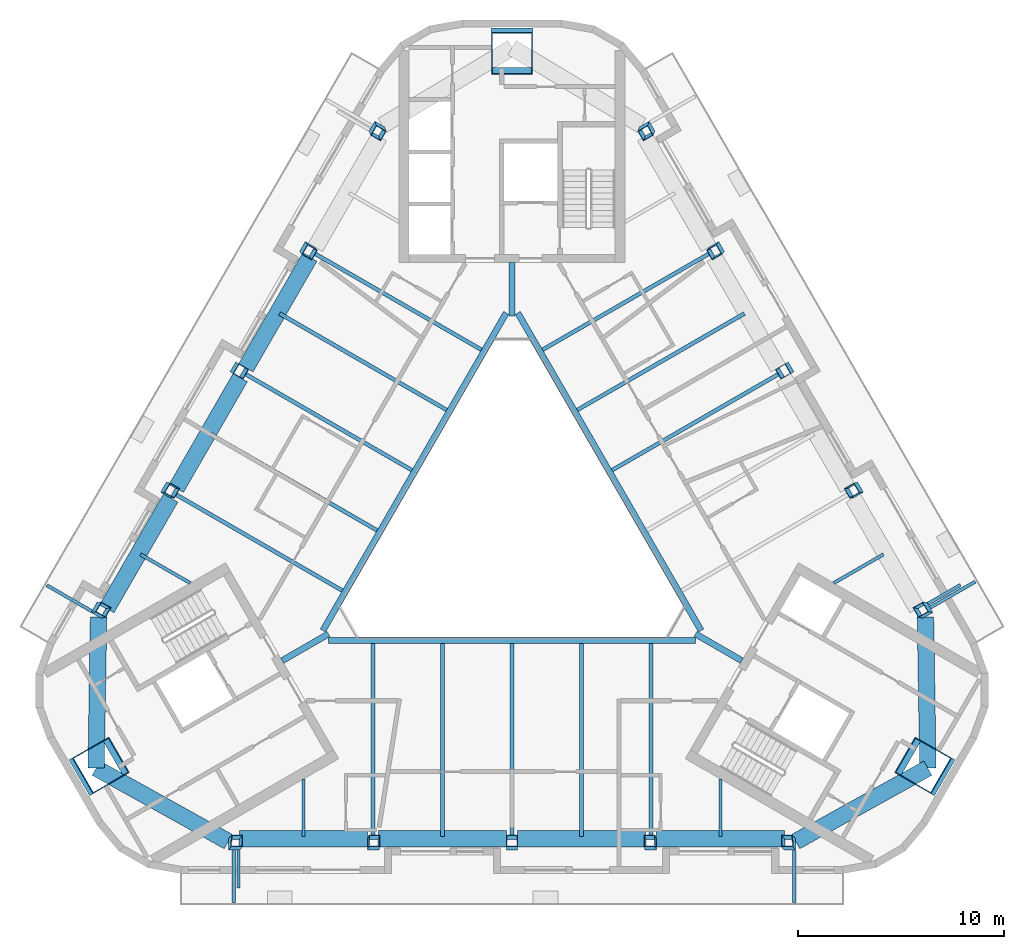
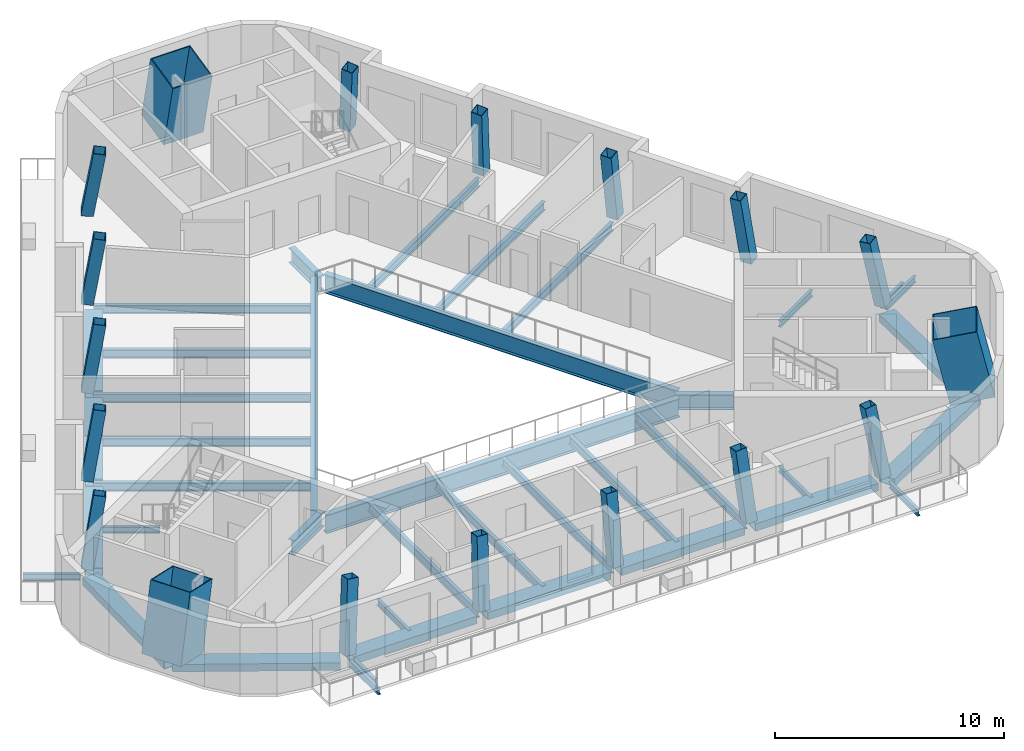
# One storey, part 1 of 11: 40 beams, 18 columns.
"""IFC4 building model written with IfcOpenShell, lengths in metres."""

from ifc_helpers import new_model, si_unit, direction, frame, origin, origin_2d, place, context, subcontext, project, spatial, rectangle, hollow_rectangle, i_section, extrude, boolean, halfspace, material, material_profile, profile_set, type_object, element, save


model = new_model("IFC4")

# Units and contexts
model_context = context("Model", 3, precision=1e-05, world=origin(), true_north=direction((0.0, 1.0)))
body_context = subcontext(model_context, "Body", "Model", "MODEL_VIEW")
ifc_project = project(units=[si_unit("LENGTHUNIT", "METRE"), si_unit("AREAUNIT", "SQUARE_METRE"), si_unit("VOLUMEUNIT", "CUBIC_METRE"), si_unit("PLANEANGLEUNIT", "RADIAN"), si_unit("MASSUNIT", "GRAM", prefix="KILO")], contexts=[model_context])

# Site, building, storey
site_placement = place(None, origin())
site = spatial("IfcSite", under=ifc_project, at=site_placement, CompositionType="ELEMENT")
building_placement = place(site_placement, origin())
building = spatial("IfcBuilding", under=site, at=building_placement, Name="Apuvela Tower Hotel", CompositionType="ELEMENT")
storey_placement = place(building_placement, frame((0.0, 0.0, 309.60009765625)))
storey = spatial("IfcBuildingStorey", under=building, at=storey_placement, Name="L77", CompositionType="ELEMENT", Elevation=309.60009765625)

# Columns
ifc_material_1 = material(Name="Steel S460", Category="steel")
ifc_material_profile_1 = material_profile(ifc_material_1, hollow_rectangle(XDim=2.0, YDim=2.0, WallThickness=0.050048828125, at=origin_2d()), Name="BOX 2000x2000x50")
ifc_material_2 = material(Name="Concrete C80/95", Category="concrete")
ifc_material_profile_2 = material_profile(ifc_material_2, rectangle(XDim=1.89990234375, YDim=1.89990234375, at=origin_2d()), Name="Concrete C80/95 infill")
ifc_profile_set_1 = profile_set([ifc_material_profile_1, ifc_material_profile_2], Name="Steel S460")
column_type_1 = type_object("IfcColumnType", Name="STR-MC mega column BOX 2000x2000x50", PredefinedType="COLUMN", material=ifc_profile_set_1)
for number, where, z_axis, x_axis, name in (
    (1, (0.0, 23.34130859375, 0.0), (0.0, -0.21982618752, 0.975539054718), (1.0, 0.0, 0.0), "Mega column MC4 N"),
    (2, (-20.214111328125, -11.670654296875, 0.0), (0.190346159062, 0.109881938965, 0.975548204457), (0.499906392682, -0.866079441173, 1.1507946e-05), "Mega column MC4 SW"),
    (3, (20.214111328125, -11.670654296875, 0.0), (-0.190346159062, 0.109881938965, 0.975548204457), (-0.499906392682, -0.866079441173, 1.1507946e-05), "Mega column MC4 SE"),
):
    element("IfcColumn", number, at=place(storey_placement, frame(where, z_axis=z_axis, x_axis=x_axis)), inside=storey, type_object=column_type_1, Name=name, PredefinedType="COLUMN", context=body_context, shape_type="SweptSolid", body=[
        boolean("DIFFERENCE", boolean("DIFFERENCE", extrude(hollow_rectangle(XDim=2.0, YDim=2.0, WallThickness=0.050048828125, at=origin_2d()), origin(), (0.0, 0.0, 1.0), 3.792724609375), halfspace(frame((0.0, 0.0, 0.11328125), z_axis=(0.0, 0.0, 1.0), x_axis=(1.0, 0.0, 0.0)), True)), halfspace(frame((0.0, 0.0, 3.679443359375), z_axis=(0.0, 0.0, 1.0), x_axis=(1.0, 0.0, 0.0)), False)),
    ])
ifc_material_profile_3 = material_profile(ifc_material_1, hollow_rectangle(XDim=0.550048828125, YDim=0.550048828125, WallThickness=0.02490234375, at=origin_2d()), Name="BOX 550x550x25")
ifc_material_profile_4 = material_profile(ifc_material_2, rectangle(XDim=0.5, YDim=0.5, at=origin_2d()), Name="Concrete C80/95 infill")
ifc_profile_set_2 = profile_set([ifc_material_profile_3, ifc_material_profile_4], Name="Steel S460")
column_type_2 = type_object("IfcColumnType", Name="STR-PC perimeter column BOX 550x550x25", PredefinedType="COLUMN", material=ifc_profile_set_2)
column_1_placement = place(storey_placement, frame((-13.517822265625, -15.39453125, 0.0), z_axis=(0.121069901949, 0.150398600122, 0.981184151892), x_axis=(-0.992601568988, 0.00920533993, 0.121067695767)))
element("IfcColumn", 4, at=column_1_placement, inside=storey, type_object=column_type_2, Name="Perimeter column C7 S1", PredefinedType="COLUMN", context=body_context, shape_type="SweptSolid", body=[
    boolean("DIFFERENCE", boolean("DIFFERENCE", extrude(hollow_rectangle(XDim=0.550048828125, YDim=0.550048828125, WallThickness=0.02490234375, at=origin_2d()), origin(), (0.0, 0.0, 1.0), 3.77099609375), halfspace(frame((0.0, 0.0, 0.039794921875), z_axis=(0.0, 0.0, 1.0), x_axis=(1.0, 0.0, 0.0)), True)), halfspace(frame((0.0, 0.0, 3.73095703125), z_axis=(0.0, 0.0, 1.0), x_axis=(1.0, 0.0, 0.0)), False)),
])
column_2_placement = place(storey_placement, frame((-6.7587890625, -15.39453125, 0.0), z_axis=(0.060805602285, 0.151232777417, 0.986626234075), x_axis=(-0.998137511125, 0.004342411053, 0.060849423591)))
element("IfcColumn", 5, at=column_2_placement, inside=storey, type_object=column_type_2, Name="Perimeter column C7 S2", PredefinedType="COLUMN", context=body_context, shape_type="SweptSolid", body=[
    boolean("DIFFERENCE", boolean("DIFFERENCE", extrude(hollow_rectangle(XDim=0.550048828125, YDim=0.550048828125, WallThickness=0.02490234375, at=origin_2d()), origin(), (0.0, 0.0, 1.0), 3.75), halfspace(frame((0.0, 0.0, 0.033935546875), z_axis=(0.0, 0.0, 1.0), x_axis=(1.0, 0.0, 0.0)), True)), halfspace(frame((0.0, 0.0, 3.71630859375), z_axis=(0.0, 0.0, 1.0), x_axis=(1.0, 0.0, 0.0)), False)),
])
column_3_placement = place(storey_placement, frame((0.0, -15.39453125, 0.0), z_axis=(0.0, 0.151513133163, 0.98845524455), x_axis=(-1.0, 0.0, 0.0)))
element("IfcColumn", 6, at=column_3_placement, inside=storey, type_object=column_type_2, Name="Perimeter column C7 S3", PredefinedType="COLUMN", context=body_context, shape_type="SweptSolid", body=[
    boolean("DIFFERENCE", boolean("DIFFERENCE", extrude(hollow_rectangle(XDim=0.550048828125, YDim=0.550048828125, WallThickness=0.02490234375, at=origin_2d()), origin(), (0.0, 0.0, 1.0), 3.7431640625), halfspace(frame((0.0, 0.0, 0.031494140625), z_axis=(0.0, 0.0, 1.0), x_axis=(1.0, 0.0, 0.0)), True)), halfspace(frame((0.0, 0.0, 3.711669921875), z_axis=(0.0, 0.0, 1.0), x_axis=(1.0, 0.0, 0.0)), False)),
])
column_4_placement = place(storey_placement, frame((6.7587890625, -15.39453125, 0.0), z_axis=(-0.060805602285, 0.151232777417, 0.986626234075), x_axis=(0.998137511125, 0.004342411053, 0.060849423591)))
element("IfcColumn", 7, at=column_4_placement, inside=storey, type_object=column_type_2, Name="Perimeter column C7 S4", PredefinedType="COLUMN", context=body_context, shape_type="SweptSolid", body=[
    boolean("DIFFERENCE", boolean("DIFFERENCE", extrude(hollow_rectangle(XDim=0.550048828125, YDim=0.550048828125, WallThickness=0.02490234375, at=origin_2d()), origin(), (0.0, 0.0, 1.0), 3.75), halfspace(frame((0.0, 0.0, 0.033935546875), z_axis=(0.0, 0.0, 1.0), x_axis=(1.0, 0.0, 0.0)), True)), halfspace(frame((0.0, 0.0, 3.71630859375), z_axis=(0.0, 0.0, 1.0), x_axis=(1.0, 0.0, 0.0)), False)),
])
for number, where, z_axis, x_axis, name in (
    (8, (13.517822265625, -15.39453125, 0.0), (-0.121069901949, 0.150398600122, 0.981184151892), (0.992601568988, 0.00920533993, 0.121067695767), "Perimeter column C7 S5"),
    (9, (20.091064453125, -4.009521484375, 0.0), (-0.190797858838, 0.029652330963, 0.981181388088), (0.488342494533, -0.86421146304, 0.121079127777), "Perimeter column C7 NE1"),
):
    element("IfcColumn", number, at=place(storey_placement, frame(where, z_axis=z_axis, x_axis=x_axis)), inside=storey, type_object=column_type_2, Name=name, PredefinedType="COLUMN", context=body_context, shape_type="SweptSolid", body=[
        boolean("DIFFERENCE", boolean("DIFFERENCE", extrude(hollow_rectangle(XDim=0.550048828125, YDim=0.550048828125, WallThickness=0.02490234375, at=origin_2d()), origin(), (0.0, 0.0, 1.0), 3.77099609375), halfspace(frame((0.0, 0.0, 0.039794921875), z_axis=(0.0, 0.0, 1.0), x_axis=(1.0, 0.0, 0.0)), True)), halfspace(frame((0.0, 0.0, 3.73095703125), z_axis=(0.0, 0.0, 1.0), x_axis=(1.0, 0.0, 0.0)), False)),
    ])
column_5_placement = place(storey_placement, frame((16.71142578125, 1.843994140625, 0.0), z_axis=(-0.161388519526, -0.022915997932, 0.986624854139), x_axis=(0.495109873729, -0.866696335889, 0.060857820306)))
element("IfcColumn", 10, at=column_5_placement, inside=storey, type_object=column_type_2, Name="Perimeter column C7 NE2", PredefinedType="COLUMN", context=body_context, shape_type="SweptSolid", body=[
    boolean("DIFFERENCE", boolean("DIFFERENCE", extrude(hollow_rectangle(XDim=0.550048828125, YDim=0.550048828125, WallThickness=0.02490234375, at=origin_2d()), origin(), (0.0, 0.0, 1.0), 3.75), halfspace(frame((0.0, 0.0, 0.033935546875), z_axis=(0.0, 0.0, 1.0), x_axis=(1.0, 0.0, 0.0)), True)), halfspace(frame((0.0, 0.0, 3.71630859375), z_axis=(0.0, 0.0, 1.0), x_axis=(1.0, 0.0, 0.0)), False)),
])
column_6_placement = place(storey_placement, frame((13.33203125, 7.697265625, 0.0), z_axis=(-0.131164739211, -0.075724645561, 0.988464257949), x_axis=(-0.499893753664, 0.866086736301, 1.5860259e-05)))
element("IfcColumn", 11, at=column_6_placement, inside=storey, type_object=column_type_2, Name="Perimeter column C7 NE3", PredefinedType="COLUMN", context=body_context, shape_type="SweptSolid", body=[
    boolean("DIFFERENCE", boolean("DIFFERENCE", extrude(hollow_rectangle(XDim=0.550048828125, YDim=0.550048828125, WallThickness=0.02490234375, at=origin_2d()), origin(), (0.0, 0.0, 1.0), 3.7431640625), halfspace(frame((0.0, 0.0, 0.031494140625), z_axis=(0.0, 0.0, 1.0), x_axis=(1.0, 0.0, 0.0)), True)), halfspace(frame((0.0, 0.0, 3.71142578125), z_axis=(0.0, 0.0, 1.0), x_axis=(1.0, 0.0, 0.0)), False)),
])
column_7_placement = place(storey_placement, frame((9.95263671875, 13.550537109375, 0.0), z_axis=(-0.100518860507, -0.128252691192, 0.98663428173), x_axis=(-0.503004973265, 0.862140661686, 0.060823320673)))
element("IfcColumn", 12, at=column_7_placement, inside=storey, type_object=column_type_2, Name="Perimeter column C7 NE4", PredefinedType="COLUMN", context=body_context, shape_type="SweptSolid", body=[
    boolean("DIFFERENCE", boolean("DIFFERENCE", extrude(hollow_rectangle(XDim=0.550048828125, YDim=0.550048828125, WallThickness=0.02490234375, at=origin_2d()), origin(), (0.0, 0.0, 1.0), 3.75), halfspace(frame((0.0, 0.0, 0.033935546875), z_axis=(0.0, 0.0, 1.0), x_axis=(1.0, 0.0, 0.0)), True)), halfspace(frame((0.0, 0.0, 3.716064453125), z_axis=(0.0, 0.0, 1.0), x_axis=(1.0, 0.0, 0.0)), False)),
])
for number, where, z_axis, x_axis, name in (
    (13, (6.5732421875, 19.404052734375, 0.0), (-0.069728397733, -0.180050765176, 0.981182792608), (-0.504276986778, 0.855013934028, 0.12106152661), "Perimeter column C7 NE5"),
    (14, (-6.5732421875, 19.404052734375, 0.0), (0.069728397733, -0.180050765176, 0.981182792608), (0.504276986778, 0.855013934028, 0.12106152661), "Perimeter column C7 NW1"),
):
    element("IfcColumn", number, at=place(storey_placement, frame(where, z_axis=z_axis, x_axis=x_axis)), inside=storey, type_object=column_type_2, Name=name, PredefinedType="COLUMN", context=body_context, shape_type="SweptSolid", body=[
        boolean("DIFFERENCE", boolean("DIFFERENCE", extrude(hollow_rectangle(XDim=0.550048828125, YDim=0.550048828125, WallThickness=0.02490234375, at=origin_2d()), origin(), (0.0, 0.0, 1.0), 3.77099609375), halfspace(frame((0.0, 0.0, 0.039794921875), z_axis=(0.0, 0.0, 1.0), x_axis=(1.0, 0.0, 0.0)), True)), halfspace(frame((0.0, 0.0, 3.73095703125), z_axis=(0.0, 0.0, 1.0), x_axis=(1.0, 0.0, 0.0)), False)),
    ])
column_8_placement = place(storey_placement, frame((-9.95263671875, 13.550537109375, 0.0), z_axis=(0.100518860507, -0.128252691192, 0.98663428173), x_axis=(0.503004973265, 0.862140661686, 0.060823320673)))
element("IfcColumn", 15, at=column_8_placement, inside=storey, type_object=column_type_2, Name="Perimeter column C7 NW2", PredefinedType="COLUMN", context=body_context, shape_type="SweptSolid", body=[
    boolean("DIFFERENCE", boolean("DIFFERENCE", extrude(hollow_rectangle(XDim=0.550048828125, YDim=0.550048828125, WallThickness=0.02490234375, at=origin_2d()), origin(), (0.0, 0.0, 1.0), 3.75), halfspace(frame((0.0, 0.0, 0.033935546875), z_axis=(0.0, 0.0, 1.0), x_axis=(1.0, 0.0, 0.0)), True)), halfspace(frame((0.0, 0.0, 3.716064453125), z_axis=(0.0, 0.0, 1.0), x_axis=(1.0, 0.0, 0.0)), False)),
])
column_9_placement = place(storey_placement, frame((-13.33203125, 7.697265625, 0.0), z_axis=(0.131164739211, -0.075724645561, 0.988464257949), x_axis=(0.499893753664, 0.866086736301, 1.5860259e-05)))
element("IfcColumn", 16, at=column_9_placement, inside=storey, type_object=column_type_2, Name="Perimeter column C7 NW3", PredefinedType="COLUMN", context=body_context, shape_type="SweptSolid", body=[
    boolean("DIFFERENCE", boolean("DIFFERENCE", extrude(hollow_rectangle(XDim=0.550048828125, YDim=0.550048828125, WallThickness=0.02490234375, at=origin_2d()), origin(), (0.0, 0.0, 1.0), 3.7431640625), halfspace(frame((0.0, 0.0, 0.031494140625), z_axis=(0.0, 0.0, 1.0), x_axis=(1.0, 0.0, 0.0)), True)), halfspace(frame((0.0, 0.0, 3.71142578125), z_axis=(0.0, 0.0, 1.0), x_axis=(1.0, 0.0, 0.0)), False)),
])
column_10_placement = place(storey_placement, frame((-16.71142578125, 1.843994140625, 0.0), z_axis=(0.161388519526, -0.022915997932, 0.986624854139), x_axis=(-0.495109873729, -0.866696335889, 0.060857820306)))
element("IfcColumn", 17, at=column_10_placement, inside=storey, type_object=column_type_2, Name="Perimeter column C7 NW4", PredefinedType="COLUMN", context=body_context, shape_type="SweptSolid", body=[
    boolean("DIFFERENCE", boolean("DIFFERENCE", extrude(hollow_rectangle(XDim=0.550048828125, YDim=0.550048828125, WallThickness=0.02490234375, at=origin_2d()), origin(), (0.0, 0.0, 1.0), 3.75), halfspace(frame((0.0, 0.0, 0.033935546875), z_axis=(0.0, 0.0, 1.0), x_axis=(1.0, 0.0, 0.0)), True)), halfspace(frame((0.0, 0.0, 3.71630859375), z_axis=(0.0, 0.0, 1.0), x_axis=(1.0, 0.0, 0.0)), False)),
])
column_11_placement = place(storey_placement, frame((-20.091064453125, -4.009521484375, 0.0), z_axis=(0.190797858838, 0.029652330963, 0.981181388088), x_axis=(-0.488342494533, -0.86421146304, 0.121079127777)))
element("IfcColumn", 18, at=column_11_placement, inside=storey, type_object=column_type_2, Name="Perimeter column C7 NW5", PredefinedType="COLUMN", context=body_context, shape_type="SweptSolid", body=[
    boolean("DIFFERENCE", boolean("DIFFERENCE", extrude(hollow_rectangle(XDim=0.550048828125, YDim=0.550048828125, WallThickness=0.02490234375, at=origin_2d()), origin(), (0.0, 0.0, 1.0), 3.77099609375), halfspace(frame((0.0, 0.0, 0.039794921875), z_axis=(0.0, 0.0, 1.0), x_axis=(1.0, 0.0, 0.0)), True)), halfspace(frame((0.0, 0.0, 3.73095703125), z_axis=(0.0, 0.0, 1.0), x_axis=(1.0, 0.0, 0.0)), False)),
])

# Beams
ifc_material_3 = material(Name="Steel S355", Category="steel")
ifc_material_profile_5 = material_profile(ifc_material_3, i_section(OverallWidth=0.159912109375, OverallDepth=0.330078125, WebThickness=0.007568359375, FlangeThickness=0.011474609375, at=origin_2d()), Name="IPE 330")
ifc_profile_set_3 = profile_set([ifc_material_profile_5], Name="Steel S355")
beam_type_1 = type_object("IfcBeamType", Name="ENV-BALCONY-BEAM-IPE330", PredefinedType="BEAM", material=ifc_profile_set_3)
beam_1_placement = place(storey_placement, frame((-13.517822265625, -15.669677734375, -0.315185546875), z_axis=(0.0, -1.0, 0.0), x_axis=(1.0, 0.0, 0.0)))
element("IfcBeam", 19, at=beam_1_placement, inside=storey, type_object=beam_type_1, Name="Balcony cantilever beam S1 L77", PredefinedType="BEAM", context=body_context, shape_type="SweptSolid", body=[
    extrude(i_section(OverallWidth=0.159912109375, OverallDepth=0.330078125, WebThickness=0.007568359375, FlangeThickness=0.011474609375, at=origin_2d()), origin(), (0.0, 0.0, 1.0), 2.52490234375),
])
beam_2_placement = place(storey_placement, frame((-13.2978515625, -15.669677734375, -0.315185546875), z_axis=(0.0, -1.0, 0.0), x_axis=(1.0, 0.0, 0.0)))
element("IfcBeam", 20, at=beam_2_placement, inside=storey, type_object=beam_type_1, Name="Balcony cantilever beam S2 L77", PredefinedType="BEAM", context=body_context, shape_type="SweptSolid", body=[
    extrude(i_section(OverallWidth=0.159912109375, OverallDepth=0.330078125, WebThickness=0.007568359375, FlangeThickness=0.011474609375, at=origin_2d()), origin(), (0.0, 0.0, 1.0), 1.824951171875),
])
for number, where, z_axis, x_axis, name in (
    (21, (13.7177734375, -15.669677734375, -0.315185546875), (0.0, -1.0, 0.0), (1.0, 0.0, 0.0), "Balcony cantilever beam S3 L77"),
    (22, (20.3291015625, -3.8720703125, -0.315185546875), (0.866039067339, 0.499976333282, 0.0), (-0.499976333282, 0.866039067339, 0.0), "Balcony cantilever beam NE1 L77"),
):
    element("IfcBeam", number, at=place(storey_placement, frame(where, z_axis=z_axis, x_axis=x_axis)), inside=storey, type_object=beam_type_1, Name=name, PredefinedType="BEAM", context=body_context, shape_type="SweptSolid", body=[
        extrude(i_section(OverallWidth=0.159912109375, OverallDepth=0.330078125, WebThickness=0.007568359375, FlangeThickness=0.011474609375, at=origin_2d()), origin(), (0.0, 0.0, 1.0), 2.52490234375),
    ])
beam_3_placement = place(storey_placement, frame((20.218994140625, -3.681396484375, -0.315185546875), z_axis=(0.866011828767, 0.500023511883, 0.0), x_axis=(-0.500023511883, 0.866011828767, 0.0)))
element("IfcBeam", 23, at=beam_3_placement, inside=storey, type_object=beam_type_1, Name="Balcony cantilever beam NE2 L77", PredefinedType="BEAM", context=body_context, shape_type="SweptSolid", body=[
    extrude(i_section(OverallWidth=0.159912109375, OverallDepth=0.330078125, WebThickness=0.007568359375, FlangeThickness=0.011474609375, at=origin_2d()), origin(), (0.0, 0.0, 1.0), 1.8251953125),
])
beam_4_placement = place(storey_placement, frame((-20.42919921875, -4.045166015625, -0.315185546875), z_axis=(-0.866014894461, 0.50001820224, 0.0), x_axis=(-0.50001820224, -0.866014894461, 0.0)))
element("IfcBeam", 24, at=beam_4_placement, inside=storey, type_object=beam_type_1, Name="Balcony cantilever beam NW3 L77", PredefinedType="BEAM", context=body_context, shape_type="SweptSolid", body=[
    extrude(i_section(OverallWidth=0.159912109375, OverallDepth=0.330078125, WebThickness=0.007568359375, FlangeThickness=0.011474609375, at=origin_2d()), origin(), (0.0, 0.0, 1.0), 2.52490234375),
])
ifc_material_profile_6 = material_profile(ifc_material_3, i_section(OverallWidth=0.159912109375, OverallDepth=0.330078125, WebThickness=0.007568359375, FlangeThickness=0.011474609375, at=origin_2d()), Name="IPE 330")
ifc_profile_set_4 = profile_set([ifc_material_profile_6], Name="Steel S355")
beam_type_2 = type_object("IfcBeamType", Name="STR-B floor beam IPE 330", PredefinedType="BEAM", material=ifc_profile_set_4)
for number, where, z_axis, x_axis, name in (
    (25, (18.0546875, -1.28271484375, -0.315185546875), (-0.86601074026, -0.500025397109, 0.0), (0.500025397109, -0.86601074026, 0.0), "Floor beam B1 NE2"),
    (26, (-18.0546875, -1.28271484375, -0.315185546875), (0.86601074026, -0.500025397109, 0.0), (0.500025397109, 0.86601074026, 0.0), "Floor beam B1 NW8"),
):
    element("IfcBeam", number, at=place(storey_placement, frame(where, z_axis=z_axis, x_axis=x_axis)), inside=storey, type_object=beam_type_2, Name=name, PredefinedType="BEAM", context=body_context, shape_type="SweptSolid", body=[
        extrude(i_section(OverallWidth=0.159912109375, OverallDepth=0.330078125, WebThickness=0.007568359375, FlangeThickness=0.011474609375, at=origin_2d()), origin(), (0.0, 0.0, 1.0), 2.790283203125),
    ])
for number, where, z_axis, x_axis, name in (
    (27, (-10.13818359375, -14.99462890625, -0.315185546875), (0.0, 1.0, 0.0), (-1.0, 0.0, 0.0), "Floor beam B1 S2"),
    (28, (10.13818359375, -14.99462890625, -0.315185546875), (0.0, 1.0, 0.0), (-1.0, 0.0, 0.0), "Floor beam B1 S8"),
):
    element("IfcBeam", number, at=place(storey_placement, frame(where, z_axis=z_axis, x_axis=x_axis)), inside=storey, type_object=beam_type_2, Name=name, PredefinedType="BEAM", context=body_context, shape_type="SweptSolid", body=[
        extrude(i_section(OverallWidth=0.159912109375, OverallDepth=0.330078125, WebThickness=0.007568359375, FlangeThickness=0.011474609375, at=origin_2d()), origin(), (0.0, 0.0, 1.0), 2.79052734375),
    ])
ifc_material_profile_7 = material_profile(ifc_material_3, i_section(OverallWidth=0.18994140625, OverallDepth=0.449951171875, WebThickness=0.009521484375, FlangeThickness=0.0146484375, at=origin_2d()), Name="IPE 450")
ifc_profile_set_5 = profile_set([ifc_material_profile_7], Name="Steel S355")
beam_type_3 = type_object("IfcBeamType", Name="STR-B floor beam IPE 450", PredefinedType="BEAM", material=ifc_profile_set_5)
beam_5_placement = place(storey_placement, frame((13.093994140625, 7.559814453125, -0.375), z_axis=(-0.866025092416, -0.500000539305, 0.0), x_axis=(0.500000539305, -0.866025092416, 0.0)))
element("IfcBeam", 29, at=beam_5_placement, inside=storey, type_object=beam_type_3, Name="Floor beam B9 NE5", PredefinedType="BEAM", context=body_context, shape_type="SweptSolid", body=[
    extrude(i_section(OverallWidth=0.18994140625, OverallDepth=0.449951171875, WebThickness=0.009521484375, FlangeThickness=0.0146484375, at=origin_2d()), origin(), (0.0, 0.0, 1.0), 9.49951171875),
])
beam_6_placement = place(storey_placement, frame((11.2958984375, 10.424072265625, -0.375), z_axis=(-0.866027725137, -0.499995979278, 0.0), x_axis=(0.499995979278, -0.866027725137, 0.0)))
element("IfcBeam", 30, at=beam_6_placement, inside=storey, type_object=beam_type_3, Name="Floor beam B9 NE6", PredefinedType="BEAM", context=body_context, shape_type="SweptSolid", body=[
    extrude(i_section(OverallWidth=0.18994140625, OverallDepth=0.449951171875, WebThickness=0.009521484375, FlangeThickness=0.0146484375, at=origin_2d()), origin(), (0.0, 0.0, 1.0), 9.37451171875),
])
for number, where, z_axis, x_axis, name in (
    (31, (9.714599609375, 13.4130859375, -0.375), (-0.866031517306, -0.49998941092, 0.0), (0.49998941092, -0.866031517306, 0.0), "Floor beam B9 NE7"),
    (32, (-9.714599609375, 13.4130859375, -0.375), (0.866031517306, -0.49998941092, 0.0), (0.49998941092, 0.866031517306, 0.0), "Floor beam B9 NW3"),
):
    element("IfcBeam", number, at=place(storey_placement, frame(where, z_axis=z_axis, x_axis=x_axis)), inside=storey, type_object=beam_type_3, Name=name, PredefinedType="BEAM", context=body_context, shape_type="SweptSolid", body=[
        extrude(i_section(OverallWidth=0.18994140625, OverallDepth=0.449951171875, WebThickness=0.009521484375, FlangeThickness=0.0146484375, at=origin_2d()), origin(), (0.0, 0.0, 1.0), 9.499755859375),
    ])
beam_7_placement = place(storey_placement, frame((-11.2958984375, 10.424072265625, -0.375), z_axis=(0.866027725137, -0.499995979278, 0.0), x_axis=(0.499995979278, 0.866027725137, 0.0)))
element("IfcBeam", 33, at=beam_7_placement, inside=storey, type_object=beam_type_3, Name="Floor beam B9 NW4", PredefinedType="BEAM", context=body_context, shape_type="SweptSolid", body=[
    extrude(i_section(OverallWidth=0.18994140625, OverallDepth=0.449951171875, WebThickness=0.009521484375, FlangeThickness=0.0146484375, at=origin_2d()), origin(), (0.0, 0.0, 1.0), 9.37451171875),
])
beam_8_placement = place(storey_placement, frame((-13.093994140625, 7.559814453125, -0.375), z_axis=(0.866025092416, -0.500000539305, 0.0), x_axis=(0.500000539305, 0.866025092416, 0.0)))
element("IfcBeam", 34, at=beam_8_placement, inside=storey, type_object=beam_type_3, Name="Floor beam B9 NW5", PredefinedType="BEAM", context=body_context, shape_type="SweptSolid", body=[
    extrude(i_section(OverallWidth=0.18994140625, OverallDepth=0.449951171875, WebThickness=0.009521484375, FlangeThickness=0.0146484375, at=origin_2d()), origin(), (0.0, 0.0, 1.0), 9.49951171875),
])
beam_9_placement = place(storey_placement, frame((-14.67529296875, 4.570556640625, -0.375), z_axis=(0.866021214318, -0.500007256298, 0.0), x_axis=(0.500007256298, 0.866021214318, 0.0)))
element("IfcBeam", 35, at=beam_9_placement, inside=storey, type_object=beam_type_3, Name="Floor beam B9 NW6", PredefinedType="BEAM", context=body_context, shape_type="SweptSolid", body=[
    extrude(i_section(OverallWidth=0.18994140625, OverallDepth=0.449951171875, WebThickness=0.009521484375, FlangeThickness=0.0146484375, at=origin_2d()), origin(), (0.0, 0.0, 1.0), 9.374267578125),
])
for number, where, z_axis, x_axis, name in (
    (36, (-16.473388671875, 1.706298828125, -0.375), (0.866025092416, -0.500000539305, 0.0), (0.500000539305, 0.866025092416, 0.0), "Floor beam B9 NW7"),
    (37, (-6.7587890625, -15.11962890625, -0.375), (0.0, 1.0, 0.0), (-1.0, 0.0, 0.0), "Floor beam B9 S3"),
):
    element("IfcBeam", number, at=place(storey_placement, frame(where, z_axis=z_axis, x_axis=x_axis)), inside=storey, type_object=beam_type_3, Name=name, PredefinedType="BEAM", context=body_context, shape_type="SweptSolid", body=[
        extrude(i_section(OverallWidth=0.18994140625, OverallDepth=0.449951171875, WebThickness=0.009521484375, FlangeThickness=0.0146484375, at=origin_2d()), origin(), (0.0, 0.0, 1.0), 9.49951171875),
    ])
beam_10_placement = place(storey_placement, frame((-3.37939453125, -14.99462890625, -0.375), z_axis=(0.0, 1.0, 0.0), x_axis=(-1.0, 0.0, 0.0)))
element("IfcBeam", 38, at=beam_10_placement, inside=storey, type_object=beam_type_3, Name="Floor beam B9 S4", PredefinedType="BEAM", context=body_context, shape_type="SweptSolid", body=[
    extrude(i_section(OverallWidth=0.18994140625, OverallDepth=0.449951171875, WebThickness=0.009521484375, FlangeThickness=0.0146484375, at=origin_2d()), origin(), (0.0, 0.0, 1.0), 9.37451171875),
])
beam_11_placement = place(storey_placement, frame((0.0, -15.11962890625, -0.375), z_axis=(0.0, 1.0, 0.0), x_axis=(-1.0, 0.0, 0.0)))
element("IfcBeam", 39, at=beam_11_placement, inside=storey, type_object=beam_type_3, Name="Floor beam B9 S5", PredefinedType="BEAM", context=body_context, shape_type="SweptSolid", body=[
    extrude(i_section(OverallWidth=0.18994140625, OverallDepth=0.449951171875, WebThickness=0.009521484375, FlangeThickness=0.0146484375, at=origin_2d()), origin(), (0.0, 0.0, 1.0), 9.49951171875),
])
beam_12_placement = place(storey_placement, frame((3.37939453125, -14.99462890625, -0.375), z_axis=(0.0, 1.0, 0.0), x_axis=(-1.0, 0.0, 0.0)))
element("IfcBeam", 40, at=beam_12_placement, inside=storey, type_object=beam_type_3, Name="Floor beam B9 S6", PredefinedType="BEAM", context=body_context, shape_type="SweptSolid", body=[
    extrude(i_section(OverallWidth=0.18994140625, OverallDepth=0.449951171875, WebThickness=0.009521484375, FlangeThickness=0.0146484375, at=origin_2d()), origin(), (0.0, 0.0, 1.0), 9.37451171875),
])
beam_13_placement = place(storey_placement, frame((6.7587890625, -15.11962890625, -0.375), z_axis=(0.0, 1.0, 0.0), x_axis=(-1.0, 0.0, 0.0)))
element("IfcBeam", 41, at=beam_13_placement, inside=storey, type_object=beam_type_3, Name="Floor beam B9 S7", PredefinedType="BEAM", context=body_context, shape_type="SweptSolid", body=[
    extrude(i_section(OverallWidth=0.18994140625, OverallDepth=0.449951171875, WebThickness=0.009521484375, FlangeThickness=0.0146484375, at=origin_2d()), origin(), (0.0, 0.0, 1.0), 9.49951171875),
])
ifc_material_profile_8 = material_profile(ifc_material_3, i_section(OverallWidth=0.300048828125, OverallDepth=0.989990234375, WebThickness=0.0166015625, FlangeThickness=0.031005859375, at=origin_2d()), Name="HE 1000 A")
ifc_profile_set_6 = profile_set([ifc_material_profile_8], Name="Steel S355")
beam_type_4 = type_object("IfcBeamType", Name="STR-G atrium ring girder HE 1000 A", PredefinedType="BEAM", material=ifc_profile_set_6)
beam_14_placement = place(storey_placement, frame((-0.27978515625, 10.455078125, -0.64501953125), z_axis=(-0.500006541319, -0.866021627119, 0.0), x_axis=(0.866021627119, -0.500006541319, 0.0)))
element("IfcBeam", 42, at=beam_14_placement, inside=storey, type_object=beam_type_4, Name="Atrium ring girder G3 N-SW", PredefinedType="BEAM", context=body_context, shape_type="SweptSolid", body=[
    extrude(i_section(OverallWidth=0.300048828125, OverallDepth=0.989990234375, WebThickness=0.0166015625, FlangeThickness=0.031005859375, at=origin_2d()), origin(), (0.0, 0.0, 1.0), 17.828857421875),
])
beam_15_placement = place(storey_placement, frame((-8.91455078125, -5.469970703125, -0.64501953125), z_axis=(1.0, 0.0, 0.0), x_axis=(0.0, 1.0, 0.0)))
element("IfcBeam", 43, at=beam_15_placement, inside=storey, type_object=beam_type_4, Name="Atrium ring girder G3 SW-SE", PredefinedType="BEAM", context=body_context, shape_type="SweptSolid", body=[
    extrude(i_section(OverallWidth=0.300048828125, OverallDepth=0.989990234375, WebThickness=0.0166015625, FlangeThickness=0.031005859375, at=origin_2d()), origin(), (0.0, 0.0, 1.0), 17.8291015625),
])
beam_16_placement = place(storey_placement, frame((9.1943359375, -4.985107421875, -0.64501953125), z_axis=(-0.500006541319, 0.866021627119, 0.0), x_axis=(-0.866021627119, -0.500006541319, 0.0)))
element("IfcBeam", 44, at=beam_16_placement, inside=storey, type_object=beam_type_4, Name="Atrium ring girder G3 SE-N", PredefinedType="BEAM", context=body_context, shape_type="SweptSolid", body=[
    extrude(i_section(OverallWidth=0.300048828125, OverallDepth=0.989990234375, WebThickness=0.0166015625, FlangeThickness=0.031005859375, at=origin_2d()), origin(), (0.0, 0.0, 1.0), 17.828857421875),
])
ifc_material_profile_9 = material_profile(ifc_material_3, i_section(OverallWidth=0.300048828125, OverallDepth=0.800048828125, WebThickness=0.017578125, FlangeThickness=0.032958984375, at=origin_2d()), Name="HE 800 B")
ifc_profile_set_7 = profile_set([ifc_material_profile_9], Name="Steel S355")
beam_type_5 = type_object("IfcBeamType", Name="STR-GT core tie beam HE 800 B", PredefinedType="BEAM", material=ifc_profile_set_7)
for number, where, z_axis, x_axis, name in (
    (45, (0.0, 12.89990234375, -0.550048828125), (0.0, -1.0, 0.0), (1.0, 0.0, 0.0), "Core tie beam GT1 N"),
    (46, (-11.171630859375, -6.449951171875, -0.550048828125), (0.865997922154, 0.500047596559, 0.0), (-0.500047596559, 0.865997922154, 0.0), "Core tie beam GT1 SW"),
    (47, (11.171630859375, -6.449951171875, -0.550048828125), (-0.865997922154, 0.500047596559, 0.0), (-0.500047596559, -0.865997922154, 0.0), "Core tie beam GT1 SE"),
):
    element("IfcBeam", number, at=place(storey_placement, frame(where, z_axis=z_axis, x_axis=x_axis)), inside=storey, type_object=beam_type_5, Name=name, PredefinedType="BEAM", context=body_context, shape_type="SweptSolid", body=[
        extrude(i_section(OverallWidth=0.300048828125, OverallDepth=0.800048828125, WebThickness=0.017578125, FlangeThickness=0.032958984375, at=origin_2d()), origin(), (0.0, 0.0, 1.0), 2.599853515625),
    ])
ifc_material_profile_10 = material_profile(ifc_material_1, hollow_rectangle(XDim=0.800048828125, YDim=0.39990234375, WallThickness=0.02490234375, at=origin_2d()), Name="BOX 800x400x25")
ifc_profile_set_8 = profile_set([ifc_material_profile_10], Name="Steel S460")
beam_type_6 = type_object("IfcBeamType", Name="STR-RB perimeter ring beam BOX 800x400x25", PredefinedType="SPANDREL", material=ifc_profile_set_8)
for number, where, z_axis, x_axis, name in (
    (48, (-13.242919921875, -15.094482421875, -0.400146484375), (1.0, 0.0, 0.0), (0.0, 1.0, 0.0), "Ring beam RB1 S1"),
    (49, (-6.48388671875, -15.094482421875, -0.400146484375), (1.0, 0.0, 0.0), (0.0, 1.0, 0.0), "Ring beam RB1 S2"),
    (50, (0.27490234375, -15.094482421875, -0.400146484375), (1.0, 0.0, 0.0), (0.0, 1.0, 0.0), "Ring beam RB1 S3"),
    (51, (7.033935546875, -15.094482421875, -0.400146484375), (1.0, 0.0, 0.0), (0.0, 1.0, 0.0), "Ring beam RB1 S4"),
    (52, (-9.830322265625, 13.16259765625, -0.400146484375), (-0.499995880841, -0.866027781969, 0.0), (0.866027781969, -0.499995880841, 0.0), "Ring beam RB1 NW2"),
):
    element("IfcBeam", number, at=place(storey_placement, frame(where, z_axis=z_axis, x_axis=x_axis)), inside=storey, type_object=beam_type_6, Name=name, PredefinedType="SPANDREL", context=body_context, shape_type="SweptSolid", body=[
        extrude(hollow_rectangle(XDim=0.800048828125, YDim=0.39990234375, WallThickness=0.02490234375, at=origin_2d()), origin(), (0.0, 0.0, 1.0), 6.208984375),
    ])
beam_17_placement = place(storey_placement, frame((-13.209716796875, 7.30908203125, -0.400146484375), z_axis=(-0.500012907384, -0.866017951575, 0.0), x_axis=(0.866017951575, -0.500012907384, 0.0)))
element("IfcBeam", 53, at=beam_17_placement, inside=storey, type_object=beam_type_6, Name="Ring beam RB1 NW3", PredefinedType="SPANDREL", context=body_context, shape_type="SweptSolid", body=[
    extrude(hollow_rectangle(XDim=0.800048828125, YDim=0.39990234375, WallThickness=0.02490234375, at=origin_2d()), origin(), (0.0, 0.0, 1.0), 6.208740234375),
])
beam_18_placement = place(storey_placement, frame((-16.589111328125, 1.455810546875, -0.400146484375), z_axis=(-0.499995880841, -0.866027781969, 0.0), x_axis=(0.866027781969, -0.499995880841, 0.0)))
element("IfcBeam", 54, at=beam_18_placement, inside=storey, type_object=beam_type_6, Name="Ring beam RB1 NW4", PredefinedType="SPANDREL", context=body_context, shape_type="SweptSolid", body=[
    extrude(hollow_rectangle(XDim=0.800048828125, YDim=0.39990234375, WallThickness=0.02490234375, at=origin_2d()), origin(), (0.0, 0.0, 1.0), 6.208984375),
])
for number, where, z_axis, x_axis, name in (
    (55, (-13.792724609375, -15.24169921875, -0.400146484375), (-0.87394874028, 0.486018106003, 0.0), (-0.486018106003, -0.87394874028, 0.0), "Ring beam RB1 S1-SW"),
    (56, (13.792724609375, -15.24169921875, -0.400146484375), (0.87394874028, 0.486018106003, 0.0), (-0.486018106003, 0.87394874028, 0.0), "Ring beam RB1 S5-SE"),
):
    element("IfcBeam", number, at=place(storey_placement, frame(where, z_axis=z_axis, x_axis=x_axis)), inside=storey, type_object=beam_type_6, Name=name, PredefinedType="SPANDREL", context=body_context, shape_type="SweptSolid", body=[
        extrude(hollow_rectangle(XDim=0.800048828125, YDim=0.39990234375, WallThickness=0.02490234375, at=origin_2d()), origin(), (0.0, 0.0, 1.0), 7.34765625),
    ])
for number, where, z_axis, x_axis, name in (
    (57, (20.095947265625, -4.32421875, -0.400146484375), (0.016082463318, -0.999870668824, 0.0), (0.999870668824, 0.016082463318, 0.0), "Ring beam RB1 NE1-SE"),
    (58, (-20.095947265625, -4.32421875, -0.400146484375), (-0.016082463318, -0.999870668824, 0.0), (0.999870668824, -0.016082463318, 0.0), "Ring beam RB1 NW5-SW"),
):
    element("IfcBeam", number, at=place(storey_placement, frame(where, z_axis=z_axis, x_axis=x_axis)), inside=storey, type_object=beam_type_6, Name=name, PredefinedType="SPANDREL", context=body_context, shape_type="SweptSolid", body=[
        extrude(hollow_rectangle(XDim=0.800048828125, YDim=0.39990234375, WallThickness=0.02490234375, at=origin_2d()), origin(), (0.0, 0.0, 1.0), 7.347412109375),
    ])

save(model, "model.ifc")
